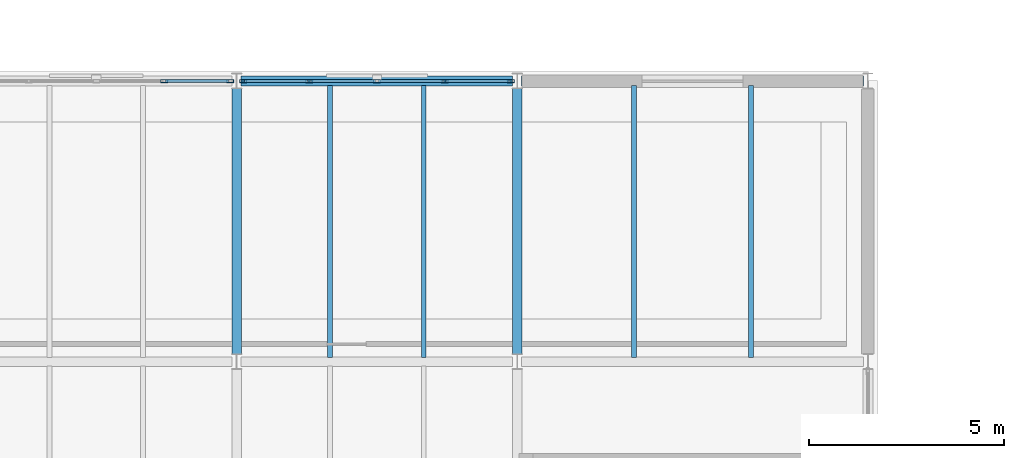
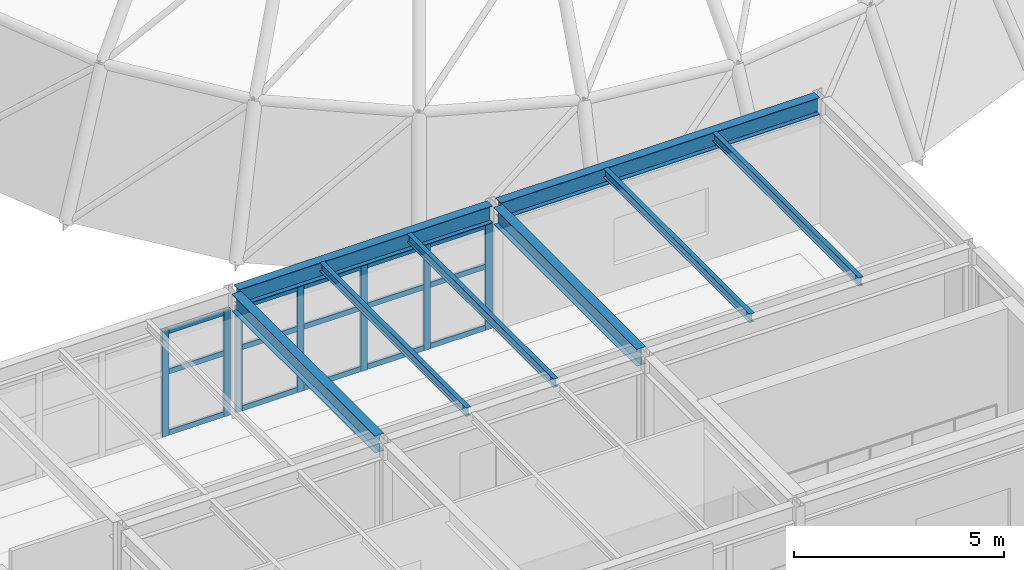
# One storey, part 23 of 48: 22 members, 8 beams, 2 elements without a shape of their own.
"""IFC4 building model written with IfcOpenShell, lengths in metres."""

from ifc_helpers import new_model, si_unit, direction, frame, origin, origin_2d, place, context, subcontext, project, spatial, hollow_rectangle, i_section, extrude, material, layer, layer_set, material_profile, profile_set, type_object, element, aggregate, save


model = new_model("IFC4")

# Units and contexts
model_context = context("Model", 3, precision=1e-05, world=origin(), true_north=direction((0.0, 1.0)))
body_context = subcontext(model_context, "Body", "Model", "MODEL_VIEW")
ifc_project = project(units=[si_unit("LENGTHUNIT", "METRE"), si_unit("AREAUNIT", "SQUARE_METRE"), si_unit("VOLUMEUNIT", "CUBIC_METRE"), si_unit("PLANEANGLEUNIT", "RADIAN"), si_unit("MASSUNIT", "GRAM", prefix="KILO")], contexts=[model_context])

# Site, building, storey
site_placement = place(None, origin())
site = spatial("IfcSite", under=ifc_project, at=site_placement, CompositionType="ELEMENT")
building_placement = place(site_placement, origin())
building = spatial("IfcBuilding", under=site, at=building_placement, Name="Kandorven Conservatory and Botanical Research Centre", CompositionType="ELEMENT")
storey_placement = place(building_placement, frame((0.0, 0.0, 13.199951171875)))
storey = spatial("IfcBuildingStorey", under=building, at=storey_placement, Name="L03", CompositionType="ELEMENT", Elevation=13.199951171875)

# Beams
ifc_material_1 = material(Name="Steel S355 (IS 2062 E350)", Category="steel")
ifc_material_profile_1 = material_profile(ifc_material_1, i_section(OverallWidth=0.25, OverallDepth=0.5, WebThickness=0.010009765625, FlangeThickness=0.0146484375, at=origin_2d()))
ifc_profile_set_1 = profile_set([ifc_material_profile_1], Name="Steel S355 (IS 2062 E350)")
beam_type_1 = type_object("IfcBeamType", Name="Beam_FG-02", PredefinedType="USERDEFINED", material=ifc_profile_set_1)
beam_1_placement = place(storey_placement, frame((70.9150390625, 27.60009765625, 3.375), z_axis=(1.0, 0.0, 0.0), x_axis=(0.0, 1.0, 0.0)))
element("IfcBeam", 1, at=beam_1_placement, inside=storey, type_object=beam_type_1, Name="Primary girder FG-02 VIS L03", ObjectType="GIRDER", PredefinedType="USERDEFINED", context=body_context, shape_type="SweptSolid", body=[
    extrude(i_section(OverallWidth=0.25, OverallDepth=0.5, WebThickness=0.010009765625, FlangeThickness=0.0146484375, at=origin_2d()), origin(), (0.0, 0.0, 1.0), 6.969970703125),
])
beam_2_placement = place(storey_placement, frame((78.114990234375, 27.60009765625, 3.375), z_axis=(1.0, 0.0, 0.0), x_axis=(0.0, 1.0, 0.0)))
element("IfcBeam", 2, at=beam_2_placement, inside=storey, type_object=beam_type_1, Name="Primary girder FG-02 VIS L03", ObjectType="GIRDER", PredefinedType="USERDEFINED", context=body_context, shape_type="SweptSolid", body=[
    extrude(i_section(OverallWidth=0.25, OverallDepth=0.5, WebThickness=0.010009765625, FlangeThickness=0.0146484375, at=origin_2d()), origin(), (0.0, 0.0, 1.0), 8.77001953125),
])
for number, where, z_axis, x_axis, name in (
    (3, (70.800048828125, 20.590087890625, 3.375), (0.0, 1.0, 0.0), (-1.0, 0.0, 0.0), "Primary girder FG-02 VIS L03"),
    (4, (78.0, 20.590087890625, 3.375), (0.0, 1.0, 0.0), (-1.0, 0.0, 0.0), "Primary girder FG-02 VIS L03"),
):
    element("IfcBeam", number, at=place(storey_placement, frame(where, z_axis=z_axis, x_axis=x_axis)), inside=storey, type_object=beam_type_1, Name=name, ObjectType="GIRDER", PredefinedType="USERDEFINED", context=body_context, shape_type="SweptSolid", body=[
        extrude(i_section(OverallWidth=0.25, OverallDepth=0.5, WebThickness=0.010009765625, FlangeThickness=0.0146484375, at=origin_2d()), origin(), (0.0, 0.0, 1.0), 6.81982421875),
    ])
ifc_material_2 = material(Name="Steel S355 (IS 2062 E350)", Category="steel")
ifc_material_profile_2 = material_profile(ifc_material_2, i_section(OverallWidth=0.125, OverallDepth=0.25, WebThickness=0.0068359375, FlangeThickness=0.012451171875, at=origin_2d()))
ifc_profile_set_2 = profile_set([ifc_material_profile_2], Name="Steel S355 (IS 2062 E350)")
beam_type_2 = type_object("IfcBeamType", Name="Beam_RJ-01", PredefinedType="JOIST", material=ifc_profile_set_2)
for number, where, z_axis, x_axis, name in (
    (5, (73.199951171875, 20.510009765625, 3.5), (0.0, 1.0, 0.0), (-1.0, 0.0, 0.0), "Composite secondary beam RJ-01 VIS L03"),
    (6, (75.60009765625, 20.510009765625, 3.5), (0.0, 1.0, 0.0), (-1.0, 0.0, 0.0), "Composite secondary beam RJ-01 VIS L03"),
    (7, (81.0, 20.510009765625, 3.5), (0.0, 1.0, 0.0), (-1.0, 0.0, 0.0), "Composite secondary beam RJ-01 VIS L03"),
    (8, (84.0, 20.510009765625, 3.5), (0.0, 1.0, 0.0), (-1.0, 0.0, 0.0), "Composite secondary beam RJ-01 VIS L03"),
):
    element("IfcBeam", number, at=place(storey_placement, frame(where, z_axis=z_axis, x_axis=x_axis)), inside=storey, type_object=beam_type_2, Name=name, PredefinedType="JOIST", context=body_context, shape_type="SweptSolid", body=[
        extrude(i_section(OverallWidth=0.125, OverallDepth=0.25, WebThickness=0.0068359375, FlangeThickness=0.012451171875, at=origin_2d()), origin(), (0.0, 0.0, 1.0), 6.97998046875),
    ])

# Curtain wall, members
ifc_material_3 = material(Name="Bronze anodised thermally broken aluminium", Category="aluminium")
ifc_layer = layer(ifc_material_3, 0.179931640625)
ifc_layer_set = layer_set([ifc_layer], Name="Bronze anodised thermally broken aluminium")
curtain_wall_type = type_object("IfcCurtainWallType", Name="CW_Unitised", PredefinedType="USERDEFINED", material=ifc_layer_set)
curtain_wall_1_placement = place(storey_placement, origin())
curtain_wall_1 = element("IfcCurtainWall", 9, at=curtain_wall_1_placement, inside=storey, type_object=curtain_wall_type, Name="Visitor wing unitised curtain wall CW-VIS-N-L03-4", ObjectType="UNITISED GLAZING", PredefinedType="USERDEFINED")
ifc_material_4 = material(Name="Bronze anodised thermally broken aluminium", Category="aluminium")
ifc_material_profile_3 = material_profile(ifc_material_4, hollow_rectangle(XDim=0.080078125, YDim=0.179931640625, WallThickness=0.006103515625, at=origin_2d()))
ifc_profile_set_3 = profile_set([ifc_material_profile_3], Name="Bronze anodised thermally broken aluminium")
member_type_1 = type_object("IfcMemberType", Name="CW_Mullion", PredefinedType="MULLION", material=ifc_profile_set_3)
member_1_placement = place(storey_placement, frame((68.9375, 27.60009765625, 0.0), z_axis=(0.0, 0.0, 1.0), x_axis=(0.0, 1.0, 0.0)))
member_1 = element("IfcMember", 10, at=member_1_placement, type_object=member_type_1, Name="CW-01 mullion 4", PredefinedType="MULLION", context=body_context, shape_type="SweptSolid", body=[
    extrude(hollow_rectangle(XDim=0.080078125, YDim=0.179931640625, WallThickness=0.006103515625, at=origin_2d()), origin(), (0.0, 0.0, 1.0), 3.10009765625),
])
member_2_placement = place(storey_placement, frame((70.635009765625, 27.60009765625, 0.0), z_axis=(0.0, 0.0, 1.0), x_axis=(0.0, 1.0, 0.0)))
member_2 = element("IfcMember", 11, at=member_2_placement, type_object=member_type_1, Name="CW-01 mullion 5", PredefinedType="MULLION", context=body_context, shape_type="SweptSolid", body=[
    extrude(hollow_rectangle(XDim=0.080078125, YDim=0.179931640625, WallThickness=0.006103515625, at=origin_2d()), origin(), (0.0, 0.0, 1.0), 3.10009765625),
])

curtain_wall_2_placement = place(storey_placement, origin())
curtain_wall_2 = element("IfcCurtainWall", 12, at=curtain_wall_2_placement, inside=storey, type_object=curtain_wall_type, Name="Visitor wing unitised curtain wall CW-VIS-N-L03-5", ObjectType="UNITISED GLAZING", PredefinedType="USERDEFINED")
member_3_placement = place(storey_placement, frame((70.965087890625, 27.60009765625, 0.0), z_axis=(0.0, 0.0, 1.0), x_axis=(0.0, 1.0, 0.0)))
member_3 = element("IfcMember", 13, at=member_3_placement, type_object=member_type_1, Name="CW-01 mullion 1", PredefinedType="MULLION", context=body_context, shape_type="SweptSolid", body=[
    extrude(hollow_rectangle(XDim=0.080078125, YDim=0.179931640625, WallThickness=0.006103515625, at=origin_2d()), origin(), (0.0, 0.0, 1.0), 3.10009765625),
])
member_4_placement = place(storey_placement, frame((72.66259765625, 27.60009765625, 0.0), z_axis=(0.0, 0.0, 1.0), x_axis=(0.0, 1.0, 0.0)))
member_4 = element("IfcMember", 14, at=member_4_placement, type_object=member_type_1, Name="CW-01 mullion 2", PredefinedType="MULLION", context=body_context, shape_type="SweptSolid", body=[
    extrude(hollow_rectangle(XDim=0.080078125, YDim=0.179931640625, WallThickness=0.006103515625, at=origin_2d()), origin(), (0.0, 0.0, 1.0), 3.10009765625),
])
member_5_placement = place(storey_placement, frame((74.39990234375, 27.60009765625, 0.0), z_axis=(0.0, 0.0, 1.0), x_axis=(0.0, 1.0, 0.0)))
member_5 = element("IfcMember", 15, at=member_5_placement, type_object=member_type_1, Name="CW-01 mullion 3", PredefinedType="MULLION", context=body_context, shape_type="SweptSolid", body=[
    extrude(hollow_rectangle(XDim=0.080078125, YDim=0.179931640625, WallThickness=0.006103515625, at=origin_2d()), origin(), (0.0, 0.0, 1.0), 3.10009765625),
])
member_6_placement = place(storey_placement, frame((76.137451171875, 27.60009765625, 0.0), z_axis=(0.0, 0.0, 1.0), x_axis=(0.0, 1.0, 0.0)))
member_6 = element("IfcMember", 16, at=member_6_placement, type_object=member_type_1, Name="CW-01 mullion 4", PredefinedType="MULLION", context=body_context, shape_type="SweptSolid", body=[
    extrude(hollow_rectangle(XDim=0.080078125, YDim=0.179931640625, WallThickness=0.006103515625, at=origin_2d()), origin(), (0.0, 0.0, 1.0), 3.10009765625),
])
member_7_placement = place(storey_placement, frame((77.8349609375, 27.60009765625, 0.0), z_axis=(0.0, 0.0, 1.0), x_axis=(0.0, 1.0, 0.0)))
member_7 = element("IfcMember", 17, at=member_7_placement, type_object=member_type_1, Name="CW-01 mullion 5", PredefinedType="MULLION", context=body_context, shape_type="SweptSolid", body=[
    extrude(hollow_rectangle(XDim=0.080078125, YDim=0.179931640625, WallThickness=0.006103515625, at=origin_2d()), origin(), (0.0, 0.0, 1.0), 3.10009765625),
])

# Member
ifc_material_5 = material(Name="Bronze anodised thermally broken aluminium", Category="aluminium")
ifc_material_profile_4 = material_profile(ifc_material_5, hollow_rectangle(XDim=0.074951171875, YDim=0.14990234375, WallThickness=0.006103515625, at=origin_2d()))
ifc_profile_set_4 = profile_set([ifc_material_profile_4], Name="Bronze anodised thermally broken aluminium")
member_type_2 = type_object("IfcMemberType", Name="CW_Transom", PredefinedType="USERDEFINED", material=ifc_profile_set_4)
member_8_placement = place(storey_placement, frame((68.9775390625, 27.60009765625, 0.074951171875), z_axis=(1.0, 0.0, 0.0), x_axis=(0.0, 1.0, 0.0)))
member_8 = element("IfcMember", 18, at=member_8_placement, type_object=member_type_2, Name="CW-01 transom 4.1", ObjectType="TRANSOM", PredefinedType="USERDEFINED", context=body_context, shape_type="SweptSolid", body=[
    extrude(hollow_rectangle(XDim=0.074951171875, YDim=0.14990234375, WallThickness=0.006103515625, at=origin_2d()), origin(), (0.0, 0.0, 1.0), 1.617431640625),
])

member_9_placement = place(storey_placement, frame((68.9775390625, 27.60009765625, 1.85009765625), z_axis=(1.0, 0.0, 0.0), x_axis=(0.0, 1.0, 0.0)))
member_9 = element("IfcMember", 19, at=member_9_placement, type_object=member_type_2, Name="CW-01 transom 4.2", ObjectType="TRANSOM", PredefinedType="USERDEFINED", context=body_context, shape_type="SweptSolid", body=[
    extrude(hollow_rectangle(XDim=0.074951171875, YDim=0.14990234375, WallThickness=0.006103515625, at=origin_2d()), origin(), (0.0, 0.0, 1.0), 1.617431640625),
])

member_10_placement = place(storey_placement, frame((68.9775390625, 27.60009765625, 3.025146484375), z_axis=(1.0, 0.0, 0.0), x_axis=(0.0, 1.0, 0.0)))
member_10 = element("IfcMember", 20, at=member_10_placement, type_object=member_type_2, Name="CW-01 transom 4.3", ObjectType="TRANSOM", PredefinedType="USERDEFINED", context=body_context, shape_type="SweptSolid", body=[
    extrude(hollow_rectangle(XDim=0.074951171875, YDim=0.14990234375, WallThickness=0.006103515625, at=origin_2d()), origin(), (0.0, 0.0, 1.0), 1.617431640625),
])

aggregate(curtain_wall_1, [member_1, member_2, member_8, member_9, member_10])

member_11_placement = place(storey_placement, frame((71.0048828125, 27.60009765625, 0.074951171875), z_axis=(1.0, 0.0, 0.0), x_axis=(0.0, 1.0, 0.0)))
member_11 = element("IfcMember", 21, at=member_11_placement, type_object=member_type_2, Name="CW-01 transom 1.1", ObjectType="TRANSOM", PredefinedType="USERDEFINED", context=body_context, shape_type="SweptSolid", body=[
    extrude(hollow_rectangle(XDim=0.074951171875, YDim=0.14990234375, WallThickness=0.006103515625, at=origin_2d()), origin(), (0.0, 0.0, 1.0), 1.61767578125),
])

member_12_placement = place(storey_placement, frame((71.0048828125, 27.60009765625, 1.85009765625), z_axis=(1.0, 0.0, 0.0), x_axis=(0.0, 1.0, 0.0)))
member_12 = element("IfcMember", 22, at=member_12_placement, type_object=member_type_2, Name="CW-01 transom 1.2", ObjectType="TRANSOM", PredefinedType="USERDEFINED", context=body_context, shape_type="SweptSolid", body=[
    extrude(hollow_rectangle(XDim=0.074951171875, YDim=0.14990234375, WallThickness=0.006103515625, at=origin_2d()), origin(), (0.0, 0.0, 1.0), 1.61767578125),
])

member_13_placement = place(storey_placement, frame((71.0048828125, 27.60009765625, 3.025146484375), z_axis=(1.0, 0.0, 0.0), x_axis=(0.0, 1.0, 0.0)))
member_13 = element("IfcMember", 23, at=member_13_placement, type_object=member_type_2, Name="CW-01 transom 1.3", ObjectType="TRANSOM", PredefinedType="USERDEFINED", context=body_context, shape_type="SweptSolid", body=[
    extrude(hollow_rectangle(XDim=0.074951171875, YDim=0.14990234375, WallThickness=0.006103515625, at=origin_2d()), origin(), (0.0, 0.0, 1.0), 1.61767578125),
])

member_14_placement = place(storey_placement, frame((72.702392578125, 27.60009765625, 0.074951171875), z_axis=(1.0, 0.0, 0.0), x_axis=(0.0, 1.0, 0.0)))
member_14 = element("IfcMember", 24, at=member_14_placement, type_object=member_type_2, Name="CW-01 transom 2.1", ObjectType="TRANSOM", PredefinedType="USERDEFINED", context=body_context, shape_type="SweptSolid", body=[
    extrude(hollow_rectangle(XDim=0.074951171875, YDim=0.14990234375, WallThickness=0.006103515625, at=origin_2d()), origin(), (0.0, 0.0, 1.0), 1.65771484375),
])

member_15_placement = place(storey_placement, frame((72.702392578125, 27.60009765625, 1.85009765625), z_axis=(1.0, 0.0, 0.0), x_axis=(0.0, 1.0, 0.0)))
member_15 = element("IfcMember", 25, at=member_15_placement, type_object=member_type_2, Name="CW-01 transom 2.2", ObjectType="TRANSOM", PredefinedType="USERDEFINED", context=body_context, shape_type="SweptSolid", body=[
    extrude(hollow_rectangle(XDim=0.074951171875, YDim=0.14990234375, WallThickness=0.006103515625, at=origin_2d()), origin(), (0.0, 0.0, 1.0), 1.65771484375),
])

member_16_placement = place(storey_placement, frame((72.702392578125, 27.60009765625, 3.025146484375), z_axis=(1.0, 0.0, 0.0), x_axis=(0.0, 1.0, 0.0)))
member_16 = element("IfcMember", 26, at=member_16_placement, type_object=member_type_2, Name="CW-01 transom 2.3", ObjectType="TRANSOM", PredefinedType="USERDEFINED", context=body_context, shape_type="SweptSolid", body=[
    extrude(hollow_rectangle(XDim=0.074951171875, YDim=0.14990234375, WallThickness=0.006103515625, at=origin_2d()), origin(), (0.0, 0.0, 1.0), 1.65771484375),
])

member_17_placement = place(storey_placement, frame((74.43994140625, 27.60009765625, 0.074951171875), z_axis=(1.0, 0.0, 0.0), x_axis=(0.0, 1.0, 0.0)))
member_17 = element("IfcMember", 27, at=member_17_placement, type_object=member_type_2, Name="CW-01 transom 3.1", ObjectType="TRANSOM", PredefinedType="USERDEFINED", context=body_context, shape_type="SweptSolid", body=[
    extrude(hollow_rectangle(XDim=0.074951171875, YDim=0.14990234375, WallThickness=0.006103515625, at=origin_2d()), origin(), (0.0, 0.0, 1.0), 1.657470703125),
])

member_18_placement = place(storey_placement, frame((74.43994140625, 27.60009765625, 1.85009765625), z_axis=(1.0, 0.0, 0.0), x_axis=(0.0, 1.0, 0.0)))
member_18 = element("IfcMember", 28, at=member_18_placement, type_object=member_type_2, Name="CW-01 transom 3.2", ObjectType="TRANSOM", PredefinedType="USERDEFINED", context=body_context, shape_type="SweptSolid", body=[
    extrude(hollow_rectangle(XDim=0.074951171875, YDim=0.14990234375, WallThickness=0.006103515625, at=origin_2d()), origin(), (0.0, 0.0, 1.0), 1.657470703125),
])

member_19_placement = place(storey_placement, frame((74.43994140625, 27.60009765625, 3.025146484375), z_axis=(1.0, 0.0, 0.0), x_axis=(0.0, 1.0, 0.0)))
member_19 = element("IfcMember", 29, at=member_19_placement, type_object=member_type_2, Name="CW-01 transom 3.3", ObjectType="TRANSOM", PredefinedType="USERDEFINED", context=body_context, shape_type="SweptSolid", body=[
    extrude(hollow_rectangle(XDim=0.074951171875, YDim=0.14990234375, WallThickness=0.006103515625, at=origin_2d()), origin(), (0.0, 0.0, 1.0), 1.657470703125),
])

member_20_placement = place(storey_placement, frame((76.177490234375, 27.60009765625, 0.074951171875), z_axis=(1.0, 0.0, 0.0), x_axis=(0.0, 1.0, 0.0)))
member_20 = element("IfcMember", 30, at=member_20_placement, type_object=member_type_2, Name="CW-01 transom 4.1", ObjectType="TRANSOM", PredefinedType="USERDEFINED", context=body_context, shape_type="SweptSolid", body=[
    extrude(hollow_rectangle(XDim=0.074951171875, YDim=0.14990234375, WallThickness=0.006103515625, at=origin_2d()), origin(), (0.0, 0.0, 1.0), 1.617431640625),
])

member_21_placement = place(storey_placement, frame((76.177490234375, 27.60009765625, 1.85009765625), z_axis=(1.0, 0.0, 0.0), x_axis=(0.0, 1.0, 0.0)))
member_21 = element("IfcMember", 31, at=member_21_placement, type_object=member_type_2, Name="CW-01 transom 4.2", ObjectType="TRANSOM", PredefinedType="USERDEFINED", context=body_context, shape_type="SweptSolid", body=[
    extrude(hollow_rectangle(XDim=0.074951171875, YDim=0.14990234375, WallThickness=0.006103515625, at=origin_2d()), origin(), (0.0, 0.0, 1.0), 1.617431640625),
])

member_22_placement = place(storey_placement, frame((76.177490234375, 27.60009765625, 3.025146484375), z_axis=(1.0, 0.0, 0.0), x_axis=(0.0, 1.0, 0.0)))
member_22 = element("IfcMember", 32, at=member_22_placement, type_object=member_type_2, Name="CW-01 transom 4.3", ObjectType="TRANSOM", PredefinedType="USERDEFINED", context=body_context, shape_type="SweptSolid", body=[
    extrude(hollow_rectangle(XDim=0.074951171875, YDim=0.14990234375, WallThickness=0.006103515625, at=origin_2d()), origin(), (0.0, 0.0, 1.0), 1.617431640625),
])

aggregate(curtain_wall_2, [member_3, member_4, member_5, member_6, member_7, member_11, member_12, member_13, member_14, member_15, member_16, member_17, member_18, member_19, member_20, member_21, member_22])

save(model, "model.ifc")
